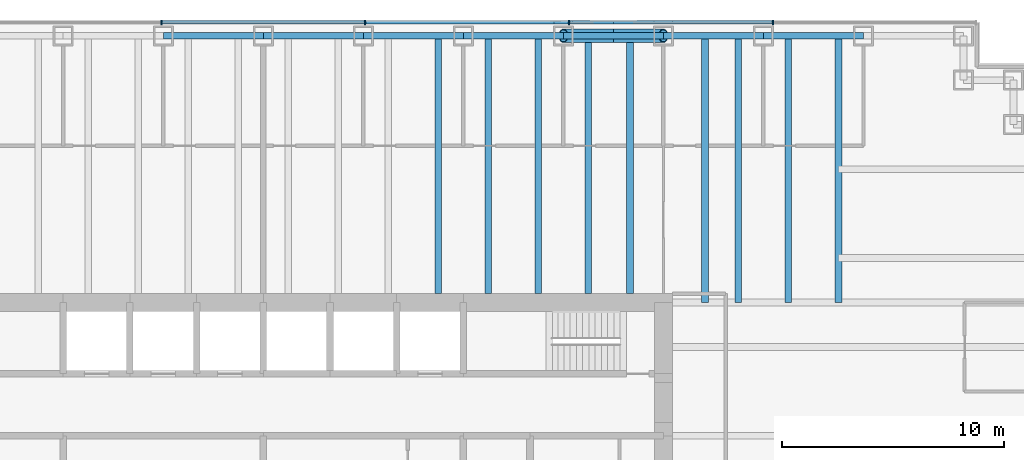
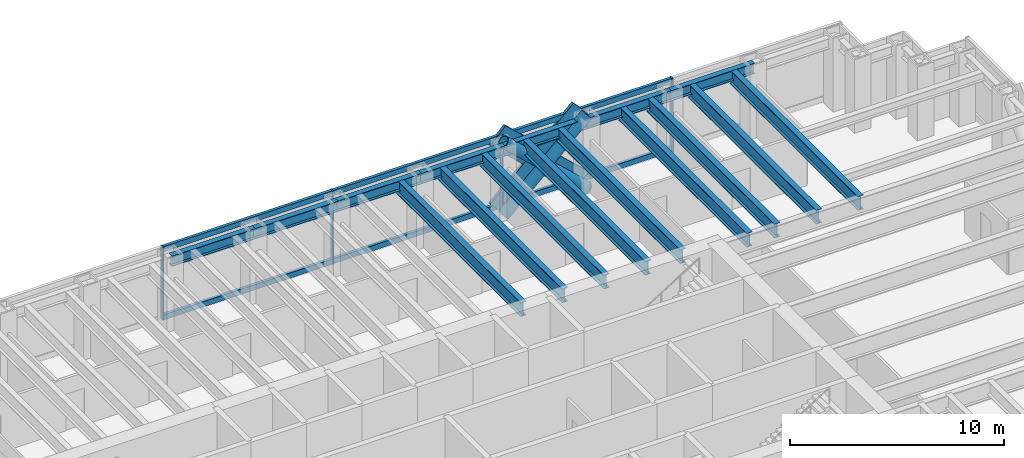
# One storey, part 6 of 17: 16 beams, 14 members, 1 element without a shape of its own.
"""IFC4 building model written with IfcOpenShell, lengths in metres."""

from ifc_helpers import new_model, si_unit, direction, frame, origin, origin_2d, place, context, subcontext, project, spatial, rectangle, hollow_circle, i_section, extrude, material, material_profile, profile_set, type_object, element, aggregate, save


model = new_model("IFC4")

# Units and contexts
model_context = context("Model", 3, precision=1e-05, world=origin(), true_north=direction((0.0, 1.0)))
body_context = subcontext(model_context, "Body", "Model", "MODEL_VIEW")
ifc_project = project(units=[si_unit("LENGTHUNIT", "METRE"), si_unit("AREAUNIT", "SQUARE_METRE"), si_unit("VOLUMEUNIT", "CUBIC_METRE"), si_unit("PLANEANGLEUNIT", "RADIAN"), si_unit("MASSUNIT", "GRAM", prefix="KILO")], contexts=[model_context])

# Site, building, storey
site_placement = place(None, origin())
site = spatial("IfcSite", under=ifc_project, at=site_placement, CompositionType="ELEMENT")
building_placement = place(site_placement, origin())
building = spatial("IfcBuilding", under=site, at=building_placement, Name="Rheinbord Bourse Tower", CompositionType="ELEMENT")
storey_placement = place(building_placement, frame((0.0, 0.0, 227.800048828125)))
storey = spatial("IfcBuildingStorey", under=building, at=storey_placement, Name="L51", CompositionType="ELEMENT", Elevation=227.800048828125)

# Curtain wall, members
ifc_material_1 = material(Name="Dark glass and black aluminium", Category="aluminium")
curtain_wall_type = type_object("IfcCurtainWallType", Name="CW2 DARK GLASS CURTAIN WALL", PredefinedType="USERDEFINED", material=ifc_material_1)
curtain_wall_placement = place(storey_placement, origin())
curtain_wall = element("IfcCurtainWall", 1, at=curtain_wall_placement, inside=storey, type_object=curtain_wall_type, Name="Curtain wall CW2 N L51", ObjectType="UNITISED CURTAIN WALL", PredefinedType="USERDEFINED")
ifc_material_2 = material(Name="Black anodised aluminium", Category="aluminium")
ifc_material_profile_1 = material_profile(ifc_material_2, rectangle(XDim=0.159912109375, YDim=1.2099609375, at=origin_2d()), Name="CW2 DIAGONAL MULLION 1210x160")
ifc_profile_set_1 = profile_set([ifc_material_profile_1], Name="Black anodised aluminium")
member_type_1 = type_object("IfcMemberType", Name="CW2 BLACK DIAGONAL MULLION", PredefinedType="USERDEFINED", material=ifc_profile_set_1)
member_1_placement = place(storey_placement, frame((49.5, 44.60009765625, 0.0), z_axis=(0.73105922506, 0.0, 0.682314010889), x_axis=(0.0, 1.0, 0.0)))
member_1 = element("IfcMember", 2, at=member_1_placement, type_object=member_type_1, Name="CW2 diagonal mullion b", ObjectType="DIAGONAL MULLION", PredefinedType="USERDEFINED", context=body_context, shape_type="SweptSolid", body=[
    extrude(rectangle(XDim=0.159912109375, YDim=1.2099609375, at=origin_2d()), origin(), (0.0, 0.0, 1.0), 6.155517578125),
])
member_2_placement = place(storey_placement, frame((54.0, 44.60009765625, 0.0), z_axis=(-0.73105922506, 0.0, 0.682314010889), x_axis=(0.0, -1.0, 0.0)))
member_2 = element("IfcMember", 3, at=member_2_placement, type_object=member_type_1, Name="CW2 diagonal mullion d", ObjectType="DIAGONAL MULLION", PredefinedType="USERDEFINED", context=body_context, shape_type="SweptSolid", body=[
    extrude(rectangle(XDim=0.159912109375, YDim=1.2099609375, at=origin_2d()), origin(), (0.0, 0.0, 1.0), 6.155517578125),
])
ifc_material_3 = material(Name="Black anodised aluminium", Category="aluminium")
ifc_material_profile_2 = material_profile(ifc_material_3, rectangle(XDim=0.219970703125, YDim=0.070068359375, at=origin_2d()), Name="CW2 MULLION 70x220")
ifc_profile_set_2 = profile_set([ifc_material_profile_2], Name="Black anodised aluminium")
member_type_2 = type_object("IfcMemberType", Name="CW2 BLACK MULLION", PredefinedType="MULLION", material=ifc_profile_set_2)
member_3_placement = place(storey_placement, frame((58.928466796875, 44.60009765625, 0.0), z_axis=(0.0, 0.0, 1.0), x_axis=(0.0, -1.0, 0.0)))
member_3 = element("IfcMember", 4, at=member_3_placement, type_object=member_type_2, Name="CW2 mullion 2", PredefinedType="MULLION", context=body_context, shape_type="SweptSolid", body=[
    extrude(rectangle(XDim=0.219970703125, YDim=0.070068359375, at=origin_2d()), origin(), (0.0, 0.0, 1.0), 4.199951171875),
])
member_4_placement = place(storey_placement, frame((49.757080078125, 44.60009765625, 0.0), z_axis=(0.0, 0.0, 1.0), x_axis=(0.0, -1.0, 0.0)))
member_4 = element("IfcMember", 5, at=member_4_placement, type_object=member_type_2, Name="CW2 mullion 3", PredefinedType="MULLION", context=body_context, shape_type="SweptSolid", body=[
    extrude(rectangle(XDim=0.219970703125, YDim=0.070068359375, at=origin_2d()), origin(), (0.0, 0.0, 1.0), 4.199951171875),
])
member_5_placement = place(storey_placement, frame((40.585693359375, 44.60009765625, 0.0), z_axis=(0.0, 0.0, 1.0), x_axis=(0.0, -1.0, 0.0)))
member_5 = element("IfcMember", 6, at=member_5_placement, type_object=member_type_2, Name="CW2 mullion 4", PredefinedType="MULLION", context=body_context, shape_type="SweptSolid", body=[
    extrude(rectangle(XDim=0.219970703125, YDim=0.070068359375, at=origin_2d()), origin(), (0.0, 0.0, 1.0), 4.199951171875),
])
member_6_placement = place(storey_placement, frame((31.414306640625, 44.60009765625, 0.0), z_axis=(0.0, 0.0, 1.0), x_axis=(0.0, -1.0, 0.0)))
member_6 = element("IfcMember", 7, at=member_6_placement, type_object=member_type_2, Name="CW2 mullion 5", PredefinedType="MULLION", context=body_context, shape_type="SweptSolid", body=[
    extrude(rectangle(XDim=0.219970703125, YDim=0.070068359375, at=origin_2d()), origin(), (0.0, 0.0, 1.0), 4.199951171875),
])
ifc_material_4 = material(Name="Black anodised aluminium", Category="aluminium")
ifc_material_profile_3 = material_profile(ifc_material_4, rectangle(XDim=0.159912109375, YDim=0.300048828125, at=origin_2d()), Name="CW2 TRANSOM 300x160")
ifc_profile_set_3 = profile_set([ifc_material_profile_3], Name="Black anodised aluminium")
member_type_3 = type_object("IfcMemberType", Name="CW2 BLACK TRANSOM", PredefinedType="USERDEFINED", material=ifc_profile_set_3)
member_7_placement = place(storey_placement, frame((58.8935546875, 44.60009765625, 0.14990234375), z_axis=(-1.0, 0.0, 0.0), x_axis=(0.0, -1.0, 0.0)))
member_7 = element("IfcMember", 8, at=member_7_placement, type_object=member_type_3, Name="CW2 transom 2.1", ObjectType="TRANSOM", PredefinedType="USERDEFINED", context=body_context, shape_type="SweptSolid", body=[
    extrude(rectangle(XDim=0.159912109375, YDim=0.300048828125, at=origin_2d()), origin(), (0.0, 0.0, 1.0), 9.101318359375),
])
member_8_placement = place(storey_placement, frame((58.8935546875, 44.60009765625, 4.050048828125), z_axis=(-1.0, 0.0, 0.0), x_axis=(0.0, -1.0, 0.0)))
member_8 = element("IfcMember", 9, at=member_8_placement, type_object=member_type_3, Name="CW2 transom 2.2", ObjectType="TRANSOM", PredefinedType="USERDEFINED", context=body_context, shape_type="SweptSolid", body=[
    extrude(rectangle(XDim=0.159912109375, YDim=0.300048828125, at=origin_2d()), origin(), (0.0, 0.0, 1.0), 9.101318359375),
])
member_9_placement = place(storey_placement, frame((49.72216796875, 44.60009765625, 0.14990234375), z_axis=(-1.0, 0.0, 0.0), x_axis=(0.0, -1.0, 0.0)))
member_9 = element("IfcMember", 10, at=member_9_placement, type_object=member_type_3, Name="CW2 transom 3.1", ObjectType="TRANSOM", PredefinedType="USERDEFINED", context=body_context, shape_type="SweptSolid", body=[
    extrude(rectangle(XDim=0.159912109375, YDim=0.300048828125, at=origin_2d()), origin(), (0.0, 0.0, 1.0), 9.1015625),
])
member_10_placement = place(storey_placement, frame((49.72216796875, 44.60009765625, 4.050048828125), z_axis=(-1.0, 0.0, 0.0), x_axis=(0.0, -1.0, 0.0)))
member_10 = element("IfcMember", 11, at=member_10_placement, type_object=member_type_3, Name="CW2 transom 3.2", ObjectType="TRANSOM", PredefinedType="USERDEFINED", context=body_context, shape_type="SweptSolid", body=[
    extrude(rectangle(XDim=0.159912109375, YDim=0.300048828125, at=origin_2d()), origin(), (0.0, 0.0, 1.0), 9.1015625),
])
member_11_placement = place(storey_placement, frame((40.55078125, 44.60009765625, 0.14990234375), z_axis=(-1.0, 0.0, 0.0), x_axis=(0.0, -1.0, 0.0)))
member_11 = element("IfcMember", 12, at=member_11_placement, type_object=member_type_3, Name="CW2 transom 4.1", ObjectType="TRANSOM", PredefinedType="USERDEFINED", context=body_context, shape_type="SweptSolid", body=[
    extrude(rectangle(XDim=0.159912109375, YDim=0.300048828125, at=origin_2d()), origin(), (0.0, 0.0, 1.0), 9.1015625),
])
member_12_placement = place(storey_placement, frame((40.55078125, 44.60009765625, 4.050048828125), z_axis=(-1.0, 0.0, 0.0), x_axis=(0.0, -1.0, 0.0)))
member_12 = element("IfcMember", 13, at=member_12_placement, type_object=member_type_3, Name="CW2 transom 4.2", ObjectType="TRANSOM", PredefinedType="USERDEFINED", context=body_context, shape_type="SweptSolid", body=[
    extrude(rectangle(XDim=0.159912109375, YDim=0.300048828125, at=origin_2d()), origin(), (0.0, 0.0, 1.0), 9.1015625),
])
aggregate(curtain_wall, [member_3, member_4, member_5, member_6, member_7, member_8, member_9, member_10, member_11, member_12, member_1, member_2])

# Beams
ifc_material_5 = material(Name="Steel S460", Category="steel")
ifc_material_profile_4 = material_profile(ifc_material_5, i_section(OverallWidth=0.300048828125, OverallDepth=0.800048828125, WebThickness=0.017578125, FlangeThickness=0.032958984375, at=origin_2d()), Name="HEB 800")
ifc_profile_set_4 = profile_set([ifc_material_profile_4], Name="Steel S460")
beam_type_1 = type_object("IfcBeamType", Name="FLOOR BEAM HEB 800", PredefinedType="BEAM", material=ifc_profile_set_4)
for number, where, z_axis, x_axis, name in (
    (14, (43.875, 44.0, 3.639892578125), (0.0, -1.0, 0.0), (1.0, 0.0, 0.0), "Floor beam N-40.5b L52"),
    (15, (46.125, 44.0, 3.639892578125), (0.0, -1.0, 0.0), (1.0, 0.0, 0.0), "Floor beam N-45a L52"),
    (16, (48.375, 44.0, 3.639892578125), (0.0, -1.0, 0.0), (1.0, 0.0, 0.0), "Floor beam N-45b L52"),
    (17, (50.625, 44.0, 3.639892578125), (0.0, -1.0, 0.0), (1.0, 0.0, 0.0), "Floor beam N-49.5a L52"),
    (18, (52.5, 44.0, 3.639892578125), (0.0, -1.0, 0.0), (1.0, 0.0, 0.0), "Floor beam N-49.5b L52"),
):
    element("IfcBeam", number, at=place(storey_placement, frame(where, z_axis=z_axis, x_axis=x_axis)), inside=storey, type_object=beam_type_1, Name=name, PredefinedType="BEAM", context=body_context, shape_type="SweptSolid", body=[
        extrude(i_section(OverallWidth=0.300048828125, OverallDepth=0.800048828125, WebThickness=0.017578125, FlangeThickness=0.032958984375, at=origin_2d()), origin(), (0.0, 0.0, 1.0), 11.60009765625),
    ])
for number, where, z_axis, x_axis, name in (
    (19, (55.875, 44.0, 3.639892578125), (0.0, -1.0, 0.0), (1.0, 0.0, 0.0), "Floor beam N-54a L52"),
    (20, (57.375, 44.0, 3.639892578125), (0.0, -1.0, 0.0), (1.0, 0.0, 0.0), "Floor beam N-54b L52"),
    (21, (59.625, 44.0, 3.639892578125), (0.0, -1.0, 0.0), (1.0, 0.0, 0.0), "Floor beam N-58.5a L52"),
    (22, (61.875, 44.0, 3.639892578125), (0.0, -1.0, 0.0), (1.0, 0.0, 0.0), "Floor beam N-58.5b L52"),
):
    element("IfcBeam", number, at=place(storey_placement, frame(where, z_axis=z_axis, x_axis=x_axis)), inside=storey, type_object=beam_type_1, Name=name, PredefinedType="BEAM", context=body_context, shape_type="SweptSolid", body=[
        extrude(i_section(OverallWidth=0.300048828125, OverallDepth=0.800048828125, WebThickness=0.017578125, FlangeThickness=0.032958984375, at=origin_2d()), origin(), (0.0, 0.0, 1.0), 12.0),
    ])

# Members
ifc_material_6 = material(Name="Steel S460", Category="steel")
ifc_material_profile_5 = material_profile(ifc_material_6, hollow_circle(Radius=0.304931640625, WallThickness=0.0400390625, at=origin_2d()), Name="CHS 610x40")
ifc_profile_set_5 = profile_set([ifc_material_profile_5], Name="Steel S460")
member_type_4 = type_object("IfcMemberType", Name="MEGABRACE CHS 610x40", PredefinedType="BRACE", material=ifc_profile_set_5)
for number, where, z_axis, x_axis, name in (
    (23, (49.5, 44.0, 0.0), (0.73105922506, 0.0, 0.682314010889), (0.0, 1.0, 0.0), "Megabrace N face line b L51"),
    (24, (54.0, 44.0, 0.0), (-0.73105922506, 0.0, 0.682314010889), (0.0, -1.0, 0.0), "Megabrace N face line d L51"),
):
    element("IfcMember", number, at=place(storey_placement, frame(where, z_axis=z_axis, x_axis=x_axis)), inside=storey, type_object=member_type_4, Name=name, PredefinedType="BRACE", context=body_context, shape_type="SweptSolid", body=[
        extrude(hollow_circle(Radius=0.304931640625, WallThickness=0.0400390625, at=origin_2d()), origin(), (0.0, 0.0, 1.0), 6.155517578125),
    ])

# Beams
ifc_material_7 = material(Name="Steel S460", Category="steel")
ifc_material_profile_6 = material_profile(ifc_material_7, i_section(OverallWidth=0.300048828125, OverallDepth=0.60009765625, WebThickness=0.015380859375, FlangeThickness=0.030029296875, at=origin_2d()), Name="HEB 600")
ifc_profile_set_6 = profile_set([ifc_material_profile_6], Name="Steel S460")
beam_type_2 = type_object("IfcBeamType", Name="SPANDREL HEB 600", PredefinedType="SPANDREL", material=ifc_profile_set_6)
for number, where, z_axis, x_axis, name in (
    (25, (63.0, 44.0, 3.739990234375), (-1.0, 0.0, 0.0), (0.0, -1.0, 0.0), "Spandrel N-63-N-58.5 under L52"),
    (26, (58.5, 44.0, 3.739990234375), (-1.0, 0.0, 0.0), (0.0, -1.0, 0.0), "Spandrel N-58.5-N-54 under L52"),
    (27, (54.0, 44.0, 3.739990234375), (-1.0, 0.0, 0.0), (0.0, -1.0, 0.0), "Spandrel N-54-N-49.5 under L52"),
    (28, (49.5, 44.0, 3.739990234375), (-1.0, 0.0, 0.0), (0.0, -1.0, 0.0), "Spandrel N-49.5-N-45 under L52"),
    (29, (45.0, 44.0, 3.739990234375), (-1.0, 0.0, 0.0), (0.0, -1.0, 0.0), "Spandrel N-45-N-40.5 under L52"),
    (30, (40.5, 44.0, 3.739990234375), (-1.0, 0.0, 0.0), (0.0, -1.0, 0.0), "Spandrel N-40.5-N-36 under L52"),
    (31, (36.0, 44.0, 3.739990234375), (-1.0, 0.0, 0.0), (0.0, -1.0, 0.0), "Spandrel N-36-N-31.5 under L52"),
):
    element("IfcBeam", number, at=place(storey_placement, frame(where, z_axis=z_axis, x_axis=x_axis)), inside=storey, type_object=beam_type_2, Name=name, PredefinedType="SPANDREL", context=body_context, shape_type="SweptSolid", body=[
        extrude(i_section(OverallWidth=0.300048828125, OverallDepth=0.60009765625, WebThickness=0.015380859375, FlangeThickness=0.030029296875, at=origin_2d()), origin(), (0.0, 0.0, 1.0), 4.5),
    ])

save(model, "model.ifc")
